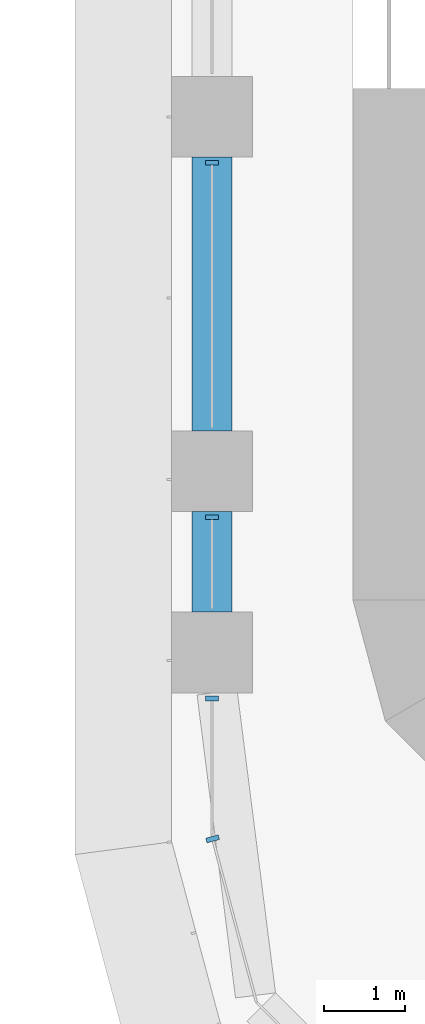
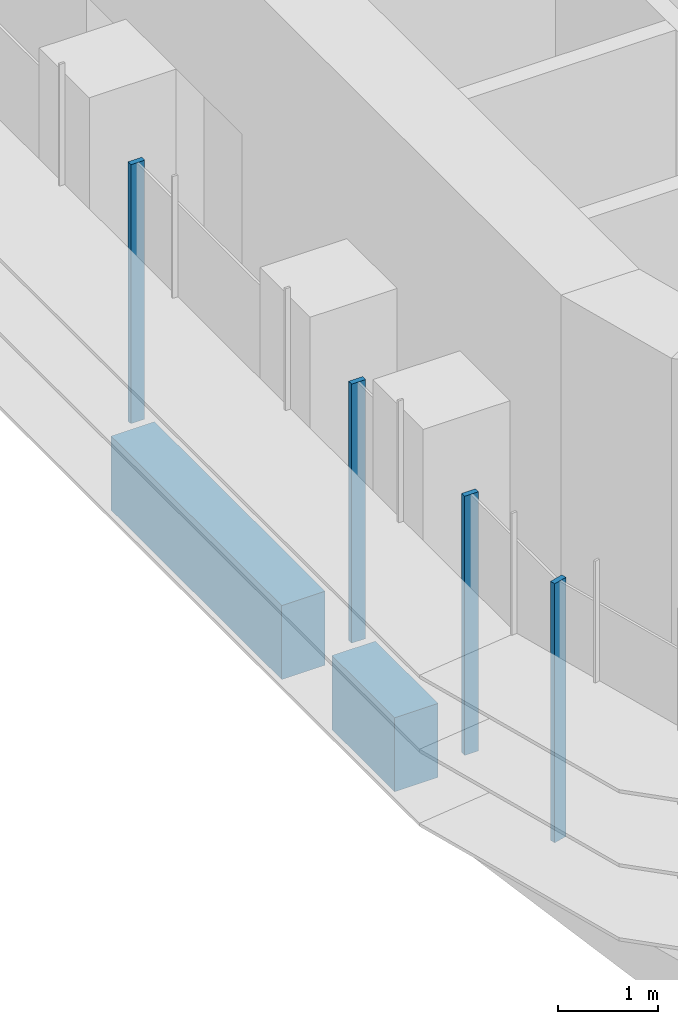
# One storey, part 2 of 23: 4 members, 2 beams, 2 elements without a shape of their own.
"""IFC4 building model written with IfcOpenShell, lengths in metres."""

from ifc_helpers import new_model, si_unit, direction, frame, origin, origin_2d, place, context, subcontext, project, spatial, polyline, rectangle, outline, extrude, source, transform, mapped, material, material_profile, profile_set, type_object, element, aggregate, save


model = new_model("IFC4")

# Units and contexts
model_context = context("Model", 3, precision=1e-05, world=origin(), true_north=direction((0.0, 1.0)))
body_context = subcontext(model_context, "Body", "Model", "MODEL_VIEW")
ifc_project = project(units=[si_unit("LENGTHUNIT", "METRE"), si_unit("AREAUNIT", "SQUARE_METRE"), si_unit("VOLUMEUNIT", "CUBIC_METRE"), si_unit("PLANEANGLEUNIT", "RADIAN"), si_unit("MASSUNIT", "GRAM", prefix="KILO")], contexts=[model_context])

# Site, building, storey
site_placement = place(None, origin())
site = spatial("IfcSite", under=ifc_project, at=site_placement, CompositionType="ELEMENT")
building_placement = place(site_placement, origin())
building = spatial("IfcBuilding", under=site, at=building_placement, Name="Zarbagh Exchange Tower", CompositionType="ELEMENT")
storey_placement = place(building_placement, frame((0.0, 0.0, 52.199951171875)))
storey = spatial("IfcBuildingStorey", under=building, at=storey_placement, Name="L11", CompositionType="ELEMENT", Elevation=52.199951171875)

# Beams
ifc_material_1 = material(Name="Concrete C60/75", Category="concrete")
ifc_material_profile = material_profile(ifc_material_1, rectangle(XDim=0.5, YDim=0.89990234375, at=origin_2d()), Name="RC spandrel beam 500 x 900 C60/75")
ifc_profile_set = profile_set([ifc_material_profile], Name="Concrete C60/75")
beam_type = type_object("IfcBeamType", Name="RC spandrel beam 500 x 900 C60/75", PredefinedType="SPANDREL", material=ifc_profile_set)
beam_1_placement = place(storey_placement, frame((-6.25, -26.39990234375, -0.599853515625), z_axis=(0.0, 1.0, 0.0), x_axis=(-1.0, 0.0, 0.0)))
element("IfcBeam", 1, at=beam_1_placement, inside=storey, type_object=beam_type, Name="RC spandrel beam", PredefinedType="SPANDREL", context=body_context, shape_type="SweptSolid", body=[
    extrude(rectangle(XDim=0.5, YDim=0.89990234375, at=origin_2d()), origin(), (0.0, 0.0, 1.0), 1.25),
])
beam_2_placement = place(storey_placement, frame((-6.25, -24.14990234375, -0.599853515625), z_axis=(0.0, 1.0, 0.0), x_axis=(-1.0, 0.0, 0.0)))
element("IfcBeam", 2, at=beam_2_placement, inside=storey, type_object=beam_type, Name="RC spandrel beam", PredefinedType="SPANDREL", context=body_context, shape_type="SweptSolid", body=[
    extrude(rectangle(XDim=0.5, YDim=0.89990234375, at=origin_2d()), origin(), (0.0, 0.0, 1.0), 3.39990234375),
])

# Curtain wall, members
ifc_material_2 = material(Name="Anodised aluminium frame and glazing", Category="aluminium")
curtain_wall_type = type_object("IfcCurtainWallType", Name="CWA Ribbon glazing, lower zones", PredefinedType="NOTDEFINED", material=ifc_material_2)
curtain_wall_1_placement = place(storey_placement, origin())
curtain_wall_1 = element("IfcCurtainWall", 3, at=curtain_wall_1_placement, inside=storey, type_object=curtain_wall_type, Name="CWA44 curtain wall", PredefinedType="NOTDEFINED")
ifc_material_3 = material(Name="Anodised aluminium frame", Category="aluminium")
member_type = type_object("IfcMemberType", Name="MUA Mullion, anodised aluminium frame", PredefinedType="MULLION", material=ifc_material_3)
shared_shape = source(origin(), body_context, "Body", "SweptSolid", [
    extrude(outline(polyline([(0.0, -0.080078125), (0.06005859375, -0.080078125), (0.06005859375, 0.080078125), (0.0, 0.080078125), (0.0, -0.080078125)])), origin(), (0.0, 0.0, 1.0), 3.14990234375),
])
placement = place(storey_placement, origin())
member_1 = element("IfcMember", 4, at=placement, type_object=member_type, Name="CWA44 mullion 3.1", PredefinedType="MULLION", context=body_context, shape_type="MappedRepresentation", body=[
    mapped(shared_shape, transform((-6.25, -20.7900390625, 0.0), x_axis=(0.0, -1.0, 0.0), y_axis=(1.0, 0.0, 0.0), z_axis=(0.0, 0.0, 1.0))),
])
member_2 = element("IfcMember", 5, at=placement, type_object=member_type, Name="CWA44 mullion 4.1", PredefinedType="MULLION", context=body_context, shape_type="MappedRepresentation", body=[
    mapped(shared_shape, transform((-6.25, -25.18994140625, 0.0), x_axis=(0.0, -1.0, 0.0), y_axis=(1.0, 0.0, 0.0), z_axis=(0.0, 0.0, 1.0))),
])
member_3 = element("IfcMember", 6, at=placement, type_object=member_type, Name="CWA44 mullion 5.1", PredefinedType="MULLION", context=body_context, shape_type="MappedRepresentation", body=[
    mapped(shared_shape, transform((-6.25, -27.43994140625, 0.0), x_axis=(0.0, -1.0, 0.0), y_axis=(1.0, 0.0, 0.0), z_axis=(0.0, 0.0, 1.0))),
])
aggregate(curtain_wall_1, [member_1, member_2, member_3])

# Curtain wall, member
curtain_wall_2_placement = place(storey_placement, origin())
curtain_wall_2 = element("IfcCurtainWall", 7, at=curtain_wall_2_placement, inside=storey, type_object=curtain_wall_type, Name="CWA45 curtain wall", PredefinedType="NOTDEFINED")
member_4 = element("IfcMember", 8, at=placement, type_object=member_type, Name="CWA45 mullion 1.1", PredefinedType="MULLION", context=body_context, shape_type="MappedRepresentation", body=[
    mapped(shared_shape, transform((-6.25, -29.18408203125, 0.0), x_axis=(0.258824779902, -0.965924289636, 0.0), y_axis=(0.965924289636, 0.258824779902, 0.0), z_axis=(0.0, 0.0, 1.0))),
])
aggregate(curtain_wall_2, [member_4])

save(model, "model.ifc")
